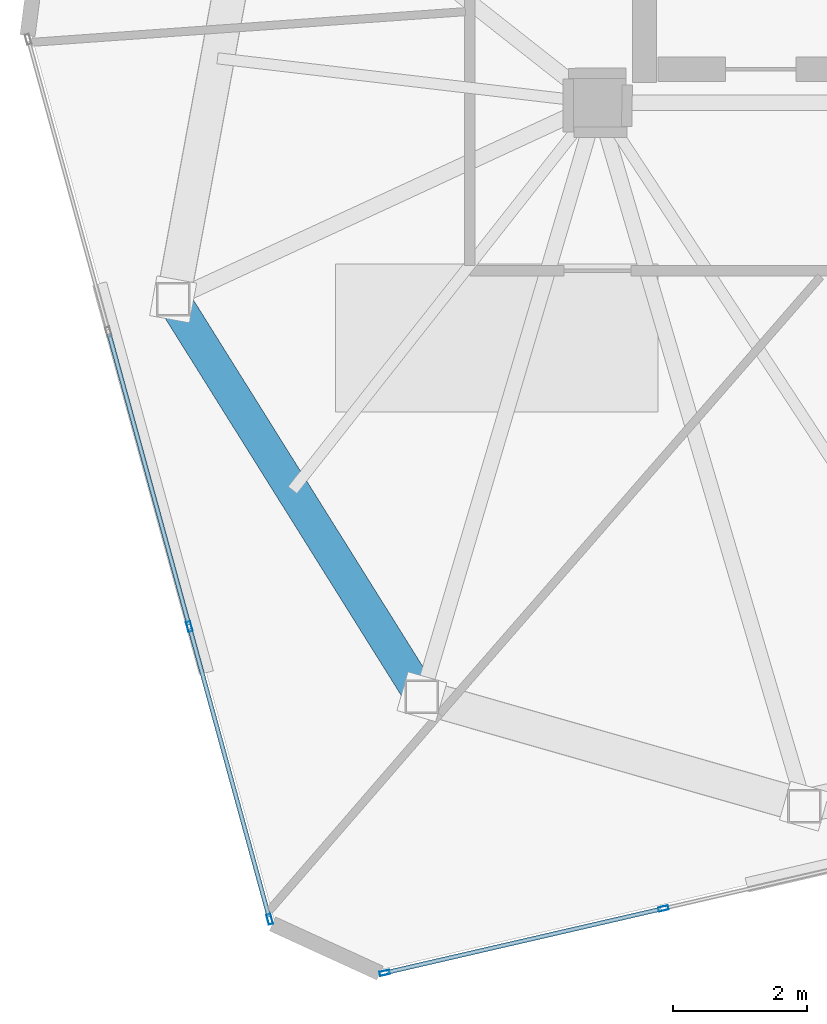
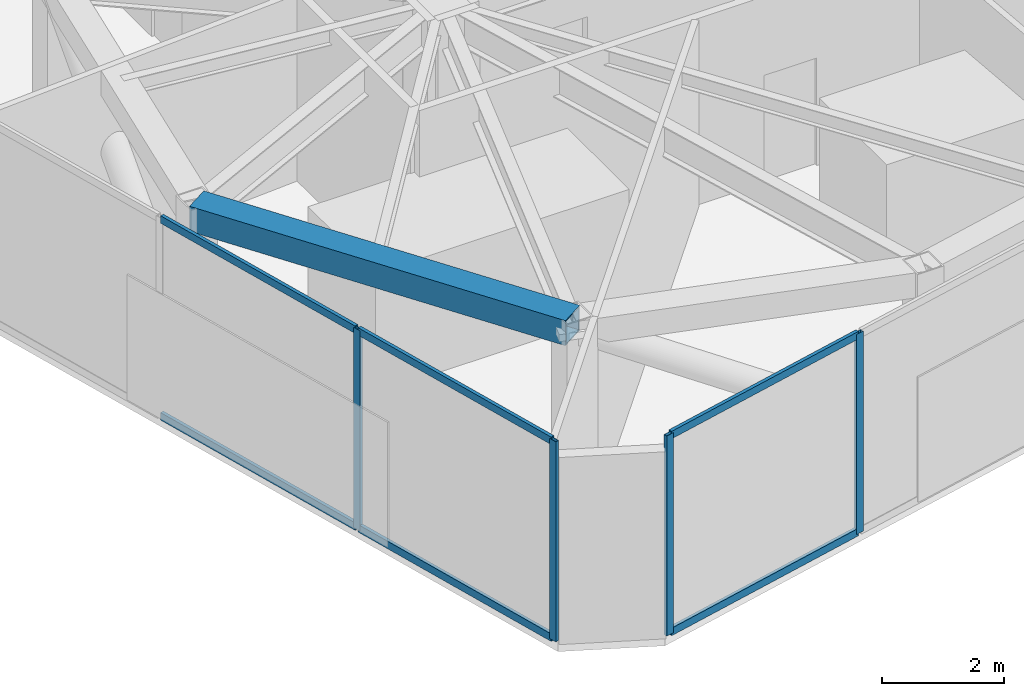
# One storey, part 2 of 20: 10 members, 1 beam, 2 elements without a shape of their own.
"""IFC4 building model written with IfcOpenShell, lengths in metres."""

from ifc_helpers import new_model, si_unit, direction, frame, origin, origin_2d, place, context, subcontext, project, spatial, hollow_rectangle, extrude, source, transform, mapped, material, layer, layer_set, material_profile, profile_set, type_object, type_shapes, element, aggregate, save


model = new_model("IFC4")

# Units and contexts
model_context = context("Model", 3, precision=1e-05, world=origin(), true_north=direction((0.0, 1.0)))
body_context = subcontext(model_context, "Body", "Model", "MODEL_VIEW")
ifc_project = project(units=[si_unit("LENGTHUNIT", "METRE"), si_unit("AREAUNIT", "SQUARE_METRE"), si_unit("VOLUMEUNIT", "CUBIC_METRE"), si_unit("PLANEANGLEUNIT", "RADIAN"), si_unit("MASSUNIT", "GRAM", prefix="KILO")], contexts=[model_context])

# Site, building, storey
site_placement = place(None, origin())
site = spatial("IfcSite", under=ifc_project, at=site_placement, CompositionType="ELEMENT")
building_placement = place(site_placement, origin())
building = spatial("IfcBuilding", under=site, at=building_placement, Name="Talar Marvaseh", CompositionType="ELEMENT")
storey_placement = place(building_placement, frame((0.0, 0.0, 312.0)))
storey = spatial("IfcBuildingStorey", under=building, at=storey_placement, Name="L83", CompositionType="ELEMENT", Elevation=312.0)

# Beam
ifc_material_1 = material(Name="Steel S460", Category="steel")
ifc_material_profile_1 = material_profile(ifc_material_1, hollow_rectangle(XDim=0.5, YDim=0.5, WallThickness=0.02490234375, at=origin_2d()), Name="BOX500x500x25")
ifc_profile_set_1 = profile_set([ifc_material_profile_1], Name="Steel S460")
beam_type = type_object("IfcBeamType", Name="Crown Frame Top Ring Beam BOX500x500x25", PredefinedType="BEAM", material=ifc_profile_set_1)
beam_placement = place(storey_placement, frame((16.0869140625, 16.66796875, 3.47509765625), z_axis=(-0.530505706813, 0.847681364098, 0.0), x_axis=(-0.847681364098, -0.530505706813, 0.0)))
element("IfcBeam", 1, at=beam_placement, inside=storey, type_object=beam_type, Name="L83 Crown Frame Top Ring Beam BOX500x500x25", PredefinedType="BEAM", context=body_context, shape_type="SweptSolid", body=[
    extrude(hollow_rectangle(XDim=0.5, YDim=0.5, WallThickness=0.02490234375, at=origin_2d()), origin(), (0.0, 0.0, 1.0), 6.970703125),
])

# Curtain wall, members
ifc_material_2 = material(Name="Architectural Aluminium", Category="aluminium")
ifc_layer = layer(ifc_material_2, 0.2099609375)
ifc_layer_set = layer_set([ifc_layer], Name="Architectural Aluminium")
curtain_wall_type = type_object("IfcCurtainWallType", Name="Crown Plant Acoustic Spandrel Curtain Wall", PredefinedType="NOTDEFINED", material=ifc_layer_set)
curtain_wall_1_placement = place(storey_placement, origin())
curtain_wall_1 = element("IfcCurtainWall", 2, at=curtain_wall_1_placement, inside=storey, type_object=curtain_wall_type, Name="L83 Crown Plant Acoustic Spandrel Curtain Wall", PredefinedType="NOTDEFINED")
ifc_material_profile_2 = material_profile(ifc_material_2, hollow_rectangle(XDim=0.06494140625, YDim=0.14990234375, WallThickness=0.00390625, at=origin_2d()), Name="RHS150x65x4")
ifc_profile_set_2 = profile_set([ifc_material_profile_2], Name="Architectural Aluminium")
member_type_1 = type_object("IfcMemberType", Name="Unitised Curtain Wall Slim Transom RHS150x65x4", PredefinedType="USERDEFINED", material=ifc_profile_set_2)
shared_shape_1 = source(origin(), body_context, "Body", "SweptSolid", [
    extrude(hollow_rectangle(XDim=0.06494140625, YDim=0.14990234375, WallThickness=0.00390625, at=origin_2d()), origin(), (0.0, 0.0, 1.0), 4.479736328125),
])
member_1_placement = place(storey_placement, frame((12.62158203125, 17.74169921875, 0.032470703125), z_axis=(-0.264643446384, 0.96434633109, 0.0), x_axis=(-0.96434633109, -0.264643446384, 0.0)))
member_1 = element("IfcMember", 3, at=member_1_placement, type_object=member_type_1, Name="CW-CRN transom 2.1", ObjectType="TRANSOM", PredefinedType="USERDEFINED", context=body_context, shape_type="MappedRepresentation", body=[
    mapped(shared_shape_1, transform((0.0, 0.0, 0.0), x_axis=(1.0, 0.0, 0.0), y_axis=(0.0, 1.0, 0.0), z_axis=(0.0, 0.0, 1.0), scale=1.0)),
])
member_2_placement = place(storey_placement, frame((12.62158203125, 17.74169921875, 3.967529296875), z_axis=(-0.264643446384, 0.96434633109, 0.0), x_axis=(-0.96434633109, -0.264643446384, 0.0)))
member_2 = element("IfcMember", 4, at=member_2_placement, type_object=member_type_1, Name="CW-CRN transom 2.2", ObjectType="TRANSOM", PredefinedType="USERDEFINED", context=body_context, shape_type="MappedRepresentation", body=[
    mapped(shared_shape_1, transform((0.0, 0.0, 0.0), x_axis=(1.0, 0.0, 0.0), y_axis=(0.0, 1.0, 0.0), z_axis=(0.0, 0.0, 1.0), scale=1.0)),
])
shared_shape_2 = source(origin(), body_context, "Body", "SweptSolid", [
    extrude(hollow_rectangle(XDim=0.06494140625, YDim=0.14990234375, WallThickness=0.00390625, at=origin_2d()), origin(), (0.0, 0.0, 1.0), 4.447509765625),
])
member_3_placement = place(storey_placement, frame((13.81591796875, 13.39013671875, 0.032470703125), z_axis=(-0.264649917498, 0.964344555213, 0.0), x_axis=(-0.964344555213, -0.264649917498, 0.0)))
member_3 = element("IfcMember", 5, at=member_3_placement, type_object=member_type_1, Name="CW-CRN transom 1.1", ObjectType="TRANSOM", PredefinedType="USERDEFINED", context=body_context, shape_type="MappedRepresentation", body=[
    mapped(shared_shape_2, transform((0.0, 0.0, 0.0), x_axis=(1.0, 0.0, 0.0), y_axis=(0.0, 1.0, 0.0), z_axis=(0.0, 0.0, 1.0), scale=1.0)),
])
member_4_placement = place(storey_placement, frame((13.81591796875, 13.39013671875, 3.967529296875), z_axis=(-0.264649917498, 0.964344555213, 0.0), x_axis=(-0.964344555213, -0.264649917498, 0.0)))
member_4 = element("IfcMember", 6, at=member_4_placement, type_object=member_type_1, Name="CW-CRN transom 1.2", ObjectType="TRANSOM", PredefinedType="USERDEFINED", context=body_context, shape_type="MappedRepresentation", body=[
    mapped(shared_shape_2, transform((0.0, 0.0, 0.0), x_axis=(1.0, 0.0, 0.0), y_axis=(0.0, 1.0, 0.0), z_axis=(0.0, 0.0, 1.0), scale=1.0)),
])

curtain_wall_2_placement = place(storey_placement, origin())
curtain_wall_2 = element("IfcCurtainWall", 7, at=curtain_wall_2_placement, inside=storey, type_object=curtain_wall_type, Name="L83 Crown Plant Acoustic Spandrel Curtain Wall", PredefinedType="NOTDEFINED")
shared_shape_3 = source(origin(), body_context, "Body", "SweptSolid", [
    extrude(hollow_rectangle(XDim=0.06494140625, YDim=0.14990234375, WallThickness=0.00390625, at=origin_2d()), origin(), (0.0, 0.0, 1.0), 4.1884765625),
])
type_shapes(member_type_1, [shared_shape_1, shared_shape_2, shared_shape_3])
member_5_placement = place(storey_placement, frame((19.647705078125, 13.51123046875, 0.032470703125), z_axis=(-0.974334186725, -0.225106402796, 0.0), x_axis=(0.225106402796, -0.974334186725, 0.0)))
member_5 = element("IfcMember", 8, at=member_5_placement, type_object=member_type_1, Name="CW-CRN transom 4.1", ObjectType="TRANSOM", PredefinedType="USERDEFINED", context=body_context, shape_type="MappedRepresentation", body=[
    mapped(shared_shape_3, transform((0.0, 0.0, 0.0), x_axis=(1.0, 0.0, 0.0), y_axis=(0.0, 1.0, 0.0), z_axis=(0.0, 0.0, 1.0), scale=1.0)),
])
member_6_placement = place(storey_placement, frame((19.647705078125, 13.51123046875, 3.967529296875), z_axis=(-0.974334186725, -0.225106402796, 0.0), x_axis=(0.225106402796, -0.974334186725, 0.0)))
member_6 = element("IfcMember", 9, at=member_6_placement, type_object=member_type_1, Name="CW-CRN transom 4.2", ObjectType="TRANSOM", PredefinedType="USERDEFINED", context=body_context, shape_type="MappedRepresentation", body=[
    mapped(shared_shape_3, transform((0.0, 0.0, 0.0), x_axis=(1.0, 0.0, 0.0), y_axis=(0.0, 1.0, 0.0), z_axis=(0.0, 0.0, 1.0), scale=1.0)),
])

# Member
ifc_material_profile_3 = material_profile(ifc_material_2, hollow_rectangle(XDim=0.06494140625, YDim=0.14990234375, WallThickness=0.00390625, at=origin_2d()), Name="RHS150x65x4")
ifc_profile_set_3 = profile_set([ifc_material_profile_3], Name="Architectural Aluminium")
member_type_2 = type_object("IfcMemberType", Name="Unitised Curtain Wall Slim Mullion RHS150x65x4", PredefinedType="MULLION", material=ifc_profile_set_3)
shared_shape_4 = source(origin(), body_context, "Body", "SweptSolid", [
    extrude(hollow_rectangle(XDim=0.06494140625, YDim=0.14990234375, WallThickness=0.00390625, at=origin_2d()), origin(), (0.0, 0.0, 1.0), 4.0),
])
type_shapes(member_type_2, [shared_shape_4])
member_7_placement = place(storey_placement, frame((13.824462890625, 13.35888671875, 0.0), z_axis=(0.0, 0.0, 1.0), x_axis=(-0.964344721115, -0.264649312974, 0.0)))
member_7 = element("IfcMember", 10, at=member_7_placement, type_object=member_type_2, Name="CW-CRN mullion 1", PredefinedType="MULLION", context=body_context, shape_type="MappedRepresentation", body=[
    mapped(shared_shape_4, transform((0.0, 0.0, 0.0), x_axis=(1.0, 0.0, 0.0), y_axis=(0.0, 1.0, 0.0), z_axis=(0.0, 0.0, 1.0), scale=1.0)),
])

member_8_placement = place(storey_placement, frame((12.630126953125, 17.71044921875, 0.0), z_axis=(0.0, 0.0, 1.0), x_axis=(-0.964344721115, -0.264649312974, 0.0)))
member_8 = element("IfcMember", 11, at=member_8_placement, type_object=member_type_2, Name="CW-CRN mullion 2", PredefinedType="MULLION", context=body_context, shape_type="MappedRepresentation", body=[
    mapped(shared_shape_4, transform((0.0, 0.0, 0.0), x_axis=(1.0, 0.0, 0.0), y_axis=(0.0, 1.0, 0.0), z_axis=(0.0, 0.0, 1.0), scale=1.0)),
])

aggregate(curtain_wall_1, [member_7, member_8, member_3, member_4, member_1, member_2])

member_9_placement = place(storey_placement, frame((19.679443359375, 13.5185546875, 0.0), z_axis=(0.0, 0.0, 1.0), x_axis=(0.225103157943, -0.974334936397, 0.0)))
member_9 = element("IfcMember", 12, at=member_9_placement, type_object=member_type_2, Name="CW-CRN mullion 4", PredefinedType="MULLION", context=body_context, shape_type="MappedRepresentation", body=[
    mapped(shared_shape_4, transform((0.0, 0.0, 0.0), x_axis=(1.0, 0.0, 0.0), y_axis=(0.0, 1.0, 0.0), z_axis=(0.0, 0.0, 1.0), scale=1.0)),
])

member_10_placement = place(storey_placement, frame((15.534912109375, 12.56103515625, 0.0), z_axis=(0.0, 0.0, 1.0), x_axis=(0.225103157943, -0.974334936397, 0.0)))
member_10 = element("IfcMember", 13, at=member_10_placement, type_object=member_type_2, Name="CW-CRN mullion 5", PredefinedType="MULLION", context=body_context, shape_type="MappedRepresentation", body=[
    mapped(shared_shape_4, transform((0.0, 0.0, 0.0), x_axis=(1.0, 0.0, 0.0), y_axis=(0.0, 1.0, 0.0), z_axis=(0.0, 0.0, 1.0), scale=1.0)),
])

aggregate(curtain_wall_2, [member_9, member_10, member_5, member_6])

save(model, "model.ifc")
